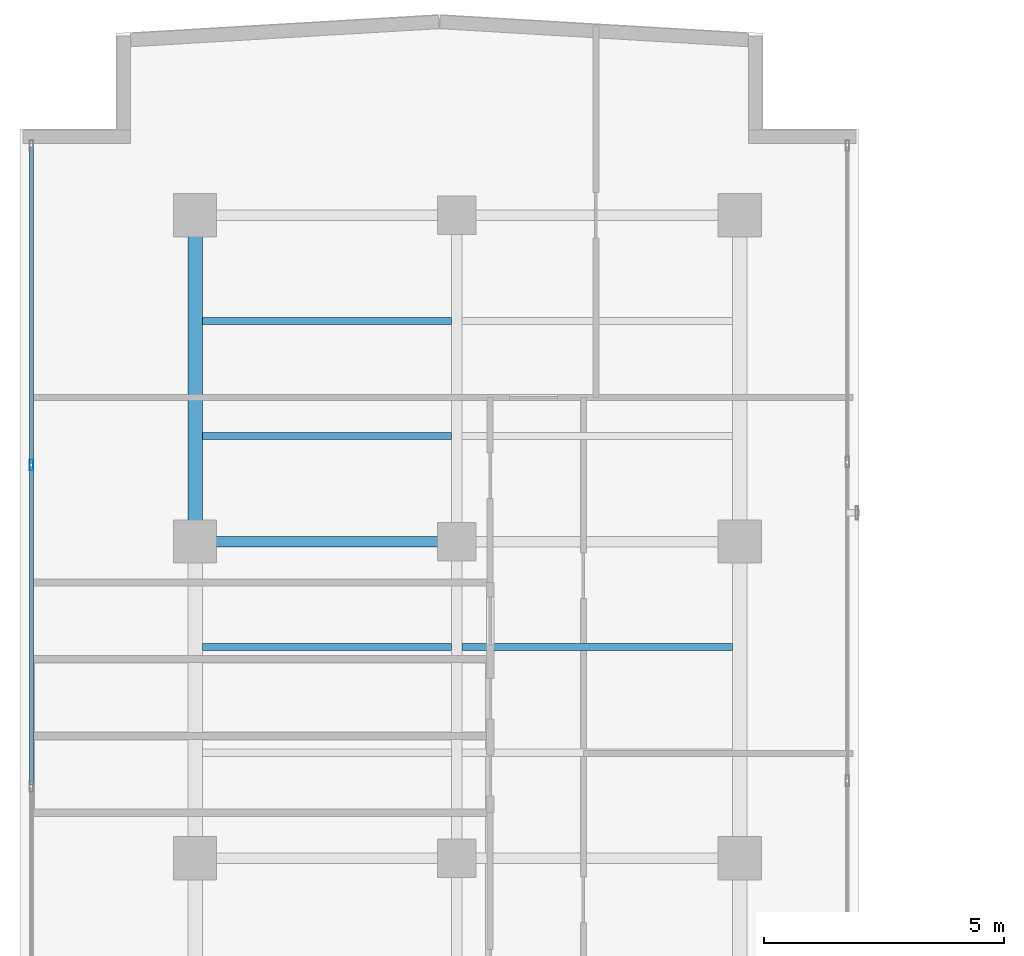
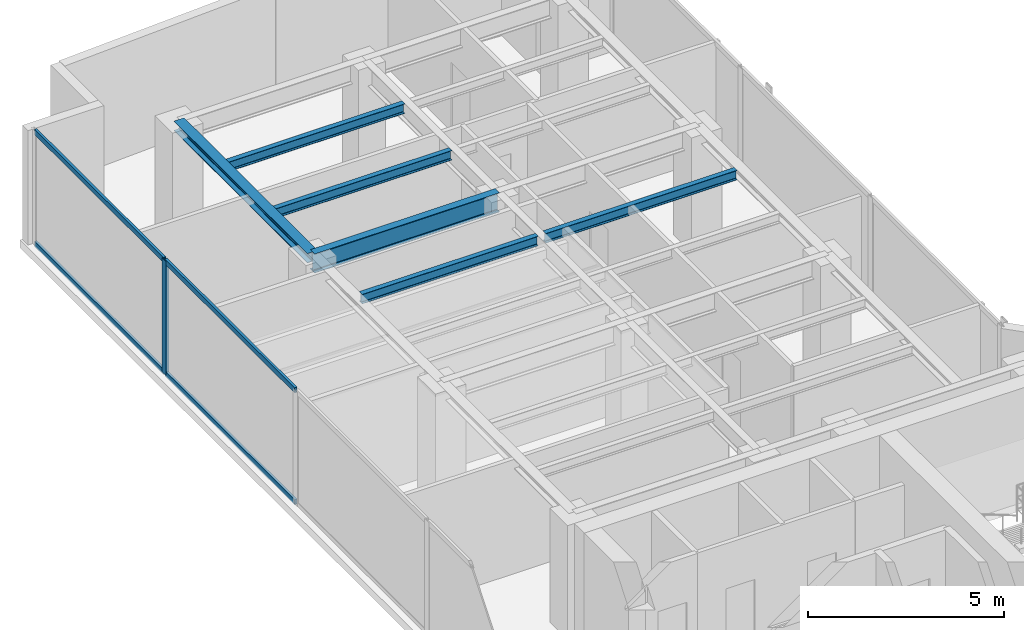
# One storey, part 12 of 23: 6 beams, 5 members, 1 element without a shape of its own.
"""IFC4 building model written with IfcOpenShell, lengths in metres."""

from ifc_helpers import new_model, si_unit, direction, frame, origin, origin_with_axes, origin_2d, place, context, subcontext, project, spatial, hollow_rectangle, i_section, extrude, source, transform, mapped, material, layer, layer_set, material_profile, profile_set, type_object, element, aggregate, save


model = new_model("IFC4")

# Units and contexts
model_context = context("Model", 3, precision=1e-05, world=origin(), true_north=direction((0.0, 1.0)))
body_context = subcontext(model_context, "Body", "Model", "MODEL_VIEW")
ifc_project = project(units=[si_unit("LENGTHUNIT", "METRE"), si_unit("AREAUNIT", "SQUARE_METRE"), si_unit("VOLUMEUNIT", "CUBIC_METRE"), si_unit("PLANEANGLEUNIT", "RADIAN"), si_unit("MASSUNIT", "GRAM", prefix="KILO")], contexts=[model_context])

# Site, building, storey
site_placement = place(None, origin())
site = spatial("IfcSite", under=ifc_project, at=site_placement, CompositionType="ELEMENT")
building_placement = place(site_placement, origin())
building = spatial("IfcBuilding", under=site, at=building_placement, Name="Kolvaren Waterfront Exchange", CompositionType="ELEMENT")
storey_placement = place(building_placement, frame((0.0, 0.0, 304.60009765625)))
storey = spatial("IfcBuildingStorey", under=building, at=storey_placement, Name="L78", CompositionType="ELEMENT", Elevation=304.60009765625)

# Beams
ifc_material_1 = material(Name="Steel S355", Category="steel")
ifc_material_profile_1 = material_profile(ifc_material_1, i_section(OverallWidth=0.300048828125, OverallDepth=0.300048828125, WebThickness=0.010986328125, FlangeThickness=0.01904296875, FilletRadius=0.027099609375, at=origin_2d()), Name="HEB300")
ifc_profile_set_1 = profile_set([ifc_material_profile_1], Name="Steel S355")
beam_type_1 = type_object("IfcBeamType", Name="STR-BM-HEB300", PredefinedType="SPANDREL", material=ifc_profile_set_1)
beam_1_placement = place(storey_placement, frame((7.449951171875, 37.800048828125, 3.409912109375), z_axis=(0.0, 1.0, 0.0), x_axis=(-1.0, 0.0, 0.0)))
element("IfcBeam", 1, at=beam_1_placement, inside=storey, type_object=beam_type_1, Name="L78 north-arm edge beam 3", PredefinedType="SPANDREL", context=body_context, shape_type="SweptSolid", body=[
    extrude(i_section(OverallWidth=0.300048828125, OverallDepth=0.300048828125, WebThickness=0.010986328125, FlangeThickness=0.01904296875, FilletRadius=0.027099609375, at=origin_2d()), origin(), (0.0, 0.0, 1.0), 6.800048828125),
])
ifc_material_profile_2 = material_profile(ifc_material_1, i_section(OverallWidth=0.14990234375, OverallDepth=0.300048828125, WebThickness=0.007080078125, FlangeThickness=0.0107421875, FilletRadius=0.014892578125, at=origin_2d()), Name="IPE300")
ifc_profile_set_2 = profile_set([ifc_material_profile_2], Name="Steel S355")
beam_type_2 = type_object("IfcBeamType", Name="STR-BM-IPE300", PredefinedType="JOIST", material=ifc_profile_set_2)
beam_2_placement = place(storey_placement, frame((7.60205078125, 35.60009765625, 3.409912109375), z_axis=(1.0, 0.0, 0.0), x_axis=(0.0, 1.0, 0.0)))
element("IfcBeam", 2, at=beam_2_placement, inside=storey, type_object=beam_type_2, Name="L78 north-arm composite joist 4A", PredefinedType="JOIST", context=body_context, shape_type="SweptSolid", body=[
    extrude(i_section(OverallWidth=0.14990234375, OverallDepth=0.300048828125, WebThickness=0.007080078125, FlangeThickness=0.0107421875, FilletRadius=0.014892578125, at=origin_2d()), origin(), (0.0, 0.0, 1.0), 5.18603515625),
])
beam_3_placement = place(storey_placement, frame((13.011962890625, 35.60009765625, 3.409912109375), z_axis=(1.0, 0.0, 0.0), x_axis=(0.0, 1.0, 0.0)))
element("IfcBeam", 3, at=beam_3_placement, inside=storey, type_object=beam_type_2, Name="L78 north-arm composite joist 4B", PredefinedType="JOIST", context=body_context, shape_type="SweptSolid", body=[
    extrude(i_section(OverallWidth=0.14990234375, OverallDepth=0.300048828125, WebThickness=0.007080078125, FlangeThickness=0.0107421875, FilletRadius=0.014892578125, at=origin_2d()), origin(), (0.0, 0.0, 1.0), 5.635986328125),
])
for number, where, z_axis, x_axis, name in (
    (4, (7.60205078125, 40.0, 3.409912109375), (1.0, 0.0, 0.0), (0.0, 1.0, 0.0), "L78 north-arm composite joist 5A"),
    (5, (7.60205078125, 42.39990234375, 3.409912109375), (1.0, 0.0, 0.0), (0.0, 1.0, 0.0), "L78 north-arm composite joist 6A"),
):
    element("IfcBeam", number, at=place(storey_placement, frame(where, z_axis=z_axis, x_axis=x_axis)), inside=storey, type_object=beam_type_2, Name=name, PredefinedType="JOIST", context=body_context, shape_type="SweptSolid", body=[
        extrude(i_section(OverallWidth=0.14990234375, OverallDepth=0.300048828125, WebThickness=0.007080078125, FlangeThickness=0.0107421875, FilletRadius=0.014892578125, at=origin_2d()), origin(), (0.0, 0.0, 1.0), 5.18603515625),
    ])
ifc_material_profile_3 = material_profile(ifc_material_1, i_section(OverallWidth=0.219970703125, OverallDepth=0.60009765625, WebThickness=0.011962890625, FlangeThickness=0.01904296875, FilletRadius=0.02392578125, at=origin_2d()), Name="IPE600")
ifc_profile_set_3 = profile_set([ifc_material_profile_3], Name="Steel S355")
beam_type_3 = type_object("IfcBeamType", Name="STR-BM-IPE600", PredefinedType="BEAM", material=ifc_profile_set_3)
beam_4_placement = place(storey_placement, frame((7.449951171875, 37.800048828125, 3.260009765625), z_axis=(1.0, 0.0, 0.0), x_axis=(0.0, 1.0, 0.0)))
element("IfcBeam", 6, at=beam_4_placement, inside=storey, type_object=beam_type_3, Name="L78 north-arm girder 3A", PredefinedType="BEAM", context=body_context, shape_type="SweptSolid", body=[
    extrude(i_section(OverallWidth=0.219970703125, OverallDepth=0.60009765625, WebThickness=0.011962890625, FlangeThickness=0.01904296875, FilletRadius=0.02392578125, at=origin_2d()), origin(), (0.0, 0.0, 1.0), 5.449951171875),
])

# Curtain wall, members
ifc_material_2 = material(Name="Anodised aluminium 6063-T6", Category="aluminium")
ifc_layer = layer(ifc_material_2, 0.219970703125, Name="Anodised aluminium 6063-T6")
ifc_layer_set = layer_set([ifc_layer], Name="Anodised aluminium 6063-T6")
curtain_wall_type = type_object("IfcCurtainWallType", Name="ARC-CW-SYS2", PredefinedType="USERDEFINED", material=ifc_layer_set)
curtain_wall_placement = place(storey_placement, origin())
curtain_wall = element("IfcCurtainWall", 7, at=curtain_wall_placement, inside=storey, type_object=curtain_wall_type, Name="L78 stick curtain wall CW2 (CW-L78-W)", ObjectType="STICK CURTAIN WALL", PredefinedType="USERDEFINED")
ifc_material_profile_4 = material_profile(ifc_material_2, hollow_rectangle(XDim=0.080078125, YDim=0.219970703125, WallThickness=0.0048828125, at=origin_2d()), Name="ALU-MUL-220x80x5")
ifc_profile_set_4 = profile_set([ifc_material_profile_4], Name="Anodised aluminium 6063-T6")
member_type_1 = type_object("IfcMemberType", Name="ARC-CWM-220", PredefinedType="MULLION", material=ifc_profile_set_4)
shared_shape_1 = source(origin_with_axes(), body_context, "Body", "SweptSolid", [
    extrude(hollow_rectangle(XDim=0.080078125, YDim=0.219970703125, WallThickness=0.0048828125, at=origin_2d()), origin(), (0.0, 0.0, 1.0), 3.559814453125),
])
member_1_placement = place(storey_placement, frame((4.0400390625, 39.3955078125, 0.0), z_axis=(0.0, 0.0, 1.0), x_axis=(-1.0, 0.0, 0.0)))
member_1 = element("IfcMember", 8, at=member_1_placement, type_object=member_type_1, Name="CW2 mullion 6", PredefinedType="MULLION", context=body_context, shape_type="MappedRepresentation", body=[
    mapped(shared_shape_1, transform((0.0, 0.0, 0.0), x_axis=(1.0, 0.0, 0.0), y_axis=(0.0, 1.0, 0.0), z_axis=(0.0, 0.0, 1.0), scale=1.0)),
])
ifc_material_profile_5 = material_profile(ifc_material_2, hollow_rectangle(XDim=0.074951171875, YDim=0.159912109375, WallThickness=0.00439453125, at=origin_2d()), Name="ALU-TRN-160x75x4.5")
ifc_profile_set_5 = profile_set([ifc_material_profile_5], Name="Anodised aluminium 6063-T6")
member_type_2 = type_object("IfcMemberType", Name="ARC-CWT-160", PredefinedType="USERDEFINED", material=ifc_profile_set_5)
shared_shape_2 = source(origin_with_axes(), body_context, "Body", "SweptSolid", [
    extrude(hollow_rectangle(XDim=0.074951171875, YDim=0.159912109375, WallThickness=0.00439453125, at=origin_2d()), origin(), (0.0, 0.0, 1.0), 6.5791015625),
])
member_2_placement = place(storey_placement, frame((4.0400390625, 39.435546875, 0.037353515625), z_axis=(0.0, 1.0, 0.0), x_axis=(-1.0, 0.0, 0.0)))
member_2 = element("IfcMember", 9, at=member_2_placement, type_object=member_type_2, Name="CW2 transom 6.1", ObjectType="TRANSOM", PredefinedType="USERDEFINED", context=body_context, shape_type="MappedRepresentation", body=[
    mapped(shared_shape_2, transform((0.0, 0.0, 0.0), x_axis=(1.0, 0.0, 0.0), y_axis=(0.0, 1.0, 0.0), z_axis=(0.0, 0.0, 1.0), scale=1.0)),
])
member_3_placement = place(storey_placement, frame((4.0400390625, 39.435546875, 3.5224609375), z_axis=(0.0, 1.0, 0.0), x_axis=(-1.0, 0.0, 0.0)))
member_3 = element("IfcMember", 10, at=member_3_placement, type_object=member_type_2, Name="CW2 transom 6.2", ObjectType="TRANSOM", PredefinedType="USERDEFINED", context=body_context, shape_type="MappedRepresentation", body=[
    mapped(shared_shape_2, transform((0.0, 0.0, 0.0), x_axis=(1.0, 0.0, 0.0), y_axis=(0.0, 1.0, 0.0), z_axis=(0.0, 0.0, 1.0), scale=1.0)),
])
shared_shape_3 = source(origin_with_axes(), body_context, "Body", "SweptSolid", [
    extrude(hollow_rectangle(XDim=0.074951171875, YDim=0.159912109375, WallThickness=0.00439453125, at=origin_2d()), origin(), (0.0, 0.0, 1.0), 6.618896484375),
])
member_4_placement = place(storey_placement, frame((4.0400390625, 32.736572265625, 0.037353515625), z_axis=(0.0, 1.0, 0.0), x_axis=(-1.0, 0.0, 0.0)))
member_4 = element("IfcMember", 11, at=member_4_placement, type_object=member_type_2, Name="CW2 transom 5.1", ObjectType="TRANSOM", PredefinedType="USERDEFINED", context=body_context, shape_type="MappedRepresentation", body=[
    mapped(shared_shape_3, transform((0.0, 0.0, 0.0), x_axis=(1.0, 0.0, 0.0), y_axis=(0.0, 1.0, 0.0), z_axis=(0.0, 0.0, 1.0), scale=1.0)),
])
member_5_placement = place(storey_placement, frame((4.0400390625, 32.736572265625, 3.5224609375), z_axis=(0.0, 1.0, 0.0), x_axis=(-1.0, 0.0, 0.0)))
member_5 = element("IfcMember", 12, at=member_5_placement, type_object=member_type_2, Name="CW2 transom 5.2", ObjectType="TRANSOM", PredefinedType="USERDEFINED", context=body_context, shape_type="MappedRepresentation", body=[
    mapped(shared_shape_3, transform((0.0, 0.0, 0.0), x_axis=(1.0, 0.0, 0.0), y_axis=(0.0, 1.0, 0.0), z_axis=(0.0, 0.0, 1.0), scale=1.0)),
])
aggregate(curtain_wall, [member_1, member_4, member_5, member_2, member_3])

save(model, "model.ifc")
